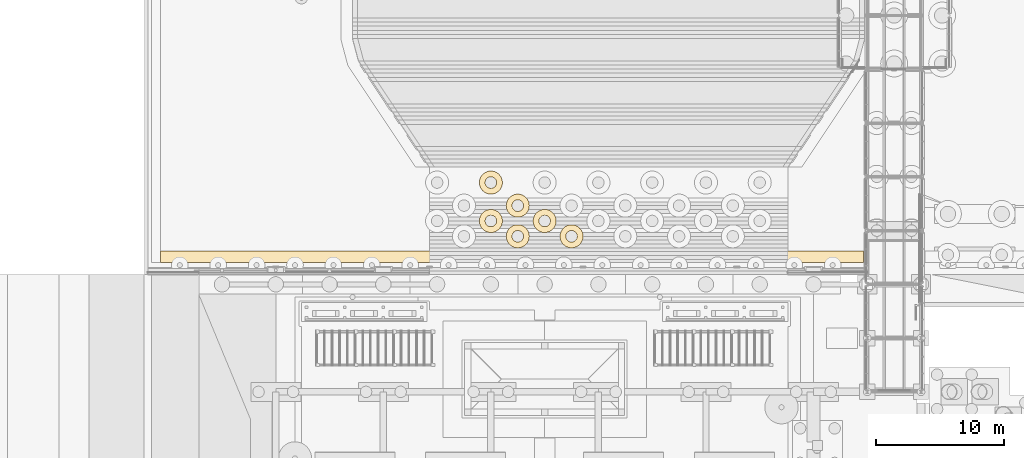
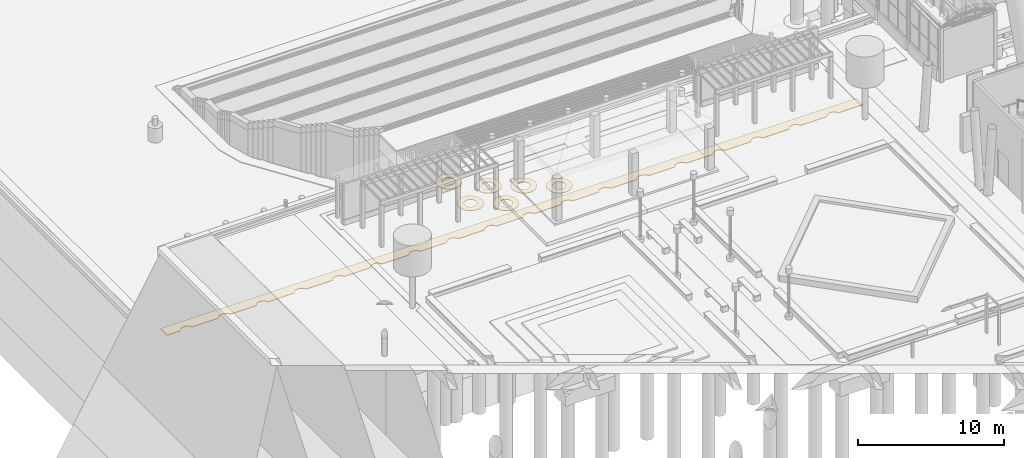
# One storey, part 177 of 222: 7 coverings.
"""IFC4 building model written with IfcOpenShell, lengths in metres."""

from ifc_helpers import new_model, si_unit, direction, frame, origin, place, context, subcontext, project, spatial, polyline, outline, extrude, material, layer, layer_set, type_object, element, save


model = new_model("IFC4")

# Units and contexts
model_context = context("Model", 3, precision=1e-05, world=origin(), true_north=direction((0.0, 1.0)))
body_context = subcontext(model_context, "Body", "Model", "MODEL_VIEW")
ifc_project = project(units=[si_unit("LENGTHUNIT", "METRE"), si_unit("AREAUNIT", "SQUARE_METRE"), si_unit("VOLUMEUNIT", "CUBIC_METRE"), si_unit("PLANEANGLEUNIT", "RADIAN"), si_unit("MASSUNIT", "GRAM", prefix="KILO")], contexts=[model_context])

# Site, building, storey
site_placement = place(None, origin())
site = spatial("IfcSite", under=ifc_project, at=site_placement, CompositionType="ELEMENT")
building_placement = place(site_placement, origin())
building = spatial("IfcBuilding", under=site, at=building_placement, Name="Sava Quay Ferry Terminal", CompositionType="ELEMENT")
storey_placement = place(building_placement, origin())
storey = spatial("IfcBuildingStorey", under=building, at=storey_placement, Name="L00", CompositionType="ELEMENT", Elevation=0.0)

# Coverings
ifc_material_1 = material(Name="Water")
ifc_layer_1 = layer(ifc_material_1, 0.0400390625)
ifc_layer_set_1 = layer_set([ifc_layer_1], Name="Water")
covering_type_1 = type_object("IfcCoveringType", Name="River foam collar", PredefinedType="CLADDING", material=ifc_layer_set_1)
covering_1_placement = place(storey_placement, frame((0.0, 0.0, -8.0)))
element("IfcCovering", 1, at=covering_1_placement, inside=storey, type_object=covering_type_1, Name="River foam collar", PredefinedType="CLADDING", context=body_context, shape_type="SweptSolid", body=[
    extrude(outline(polyline([(18.06591796875, 121.695068359375), (18.014892578125, 121.52587890625), (17.998046875, 121.35009765625), (18.014892578125, 121.174072265625), (18.06591796875, 121.0048828125), (18.14990234375, 120.84912109375), (18.261962890625, 120.7119140625), (18.39892578125, 120.60009765625), (18.554931640625, 120.51611328125), (18.72412109375, 120.465087890625), (18.89990234375, 120.447998046875), (19.075927734375, 120.465087890625), (19.2451171875, 120.51611328125), (19.40087890625, 120.60009765625), (19.5380859375, 120.7119140625), (19.64990234375, 120.84912109375), (19.73388671875, 121.0048828125), (19.784912109375, 121.174072265625), (19.802001953125, 121.35009765625), (19.784912109375, 121.52587890625), (19.73388671875, 121.695068359375), (19.64990234375, 121.85107421875), (19.5380859375, 121.988037109375), (19.40087890625, 122.10009765625), (19.2451171875, 122.18408203125), (19.075927734375, 122.235107421875), (18.89990234375, 122.251953125), (18.72412109375, 122.235107421875), (18.554931640625, 122.18408203125), (18.39892578125, 122.10009765625), (18.261962890625, 121.988037109375), (18.14990234375, 121.85107421875), (18.06591796875, 121.695068359375)]), holes=[polyline([(18.48388671875, 121.177978515625), (18.458984375, 121.261962890625), (18.449951171875, 121.35009765625), (18.458984375, 121.43798828125), (18.48388671875, 121.52197265625), (18.52587890625, 121.60009765625), (18.58203125, 121.66796875), (18.64990234375, 121.72412109375), (18.72802734375, 121.76611328125), (18.81201171875, 121.791015625), (18.89990234375, 121.800048828125), (18.988037109375, 121.791015625), (19.072021484375, 121.76611328125), (19.14990234375, 121.72412109375), (19.218017578125, 121.66796875), (19.27392578125, 121.60009765625), (19.31591796875, 121.52197265625), (19.341064453125, 121.43798828125), (19.35009765625, 121.35009765625), (19.341064453125, 121.261962890625), (19.31591796875, 121.177978515625), (19.27392578125, 121.10009765625), (19.218017578125, 121.031982421875), (19.14990234375, 120.97607421875), (19.072021484375, 120.93408203125), (18.988037109375, 120.908935546875), (18.89990234375, 120.89990234375), (18.81201171875, 120.908935546875), (18.72802734375, 120.93408203125), (18.64990234375, 120.97607421875), (18.58203125, 121.031982421875), (18.52587890625, 121.10009765625), (18.48388671875, 121.177978515625)])]), origin(), (0.0, 0.0, 1.0), 0.0400390625),
])
covering_2_placement = place(storey_placement, frame((0.0, 0.0, -8.0)))
element("IfcCovering", 2, at=covering_2_placement, inside=storey, type_object=covering_type_1, Name="River foam collar", PredefinedType="CLADDING", context=body_context, shape_type="SweptSolid", body=[
    extrude(outline(polyline([(22.35009765625, 121.85107421875), (22.26611328125, 121.695068359375), (22.215087890625, 121.52587890625), (22.197998046875, 121.35009765625), (22.215087890625, 121.174072265625), (22.26611328125, 121.0048828125), (22.35009765625, 120.84912109375), (22.4619140625, 120.7119140625), (22.59912109375, 120.60009765625), (22.7548828125, 120.51611328125), (22.924072265625, 120.465087890625), (23.10009765625, 120.447998046875), (23.27587890625, 120.465087890625), (23.445068359375, 120.51611328125), (23.60107421875, 120.60009765625), (23.738037109375, 120.7119140625), (23.85009765625, 120.84912109375), (23.93408203125, 121.0048828125), (23.985107421875, 121.174072265625), (24.001953125, 121.35009765625), (23.985107421875, 121.52587890625), (23.93408203125, 121.695068359375), (23.85009765625, 121.85107421875), (23.738037109375, 121.988037109375), (23.60107421875, 122.10009765625), (23.445068359375, 122.18408203125), (23.27587890625, 122.235107421875), (23.10009765625, 122.251953125), (22.924072265625, 122.235107421875), (22.7548828125, 122.18408203125), (22.59912109375, 122.10009765625), (22.4619140625, 121.988037109375), (22.35009765625, 121.85107421875)]), holes=[polyline([(22.72607421875, 121.10009765625), (22.68408203125, 121.177978515625), (22.658935546875, 121.261962890625), (22.64990234375, 121.35009765625), (22.658935546875, 121.43798828125), (22.68408203125, 121.52197265625), (22.72607421875, 121.60009765625), (22.781982421875, 121.66796875), (22.85009765625, 121.72412109375), (22.927978515625, 121.76611328125), (23.011962890625, 121.791015625), (23.10009765625, 121.800048828125), (23.18798828125, 121.791015625), (23.27197265625, 121.76611328125), (23.35009765625, 121.72412109375), (23.41796875, 121.66796875), (23.47412109375, 121.60009765625), (23.51611328125, 121.52197265625), (23.541015625, 121.43798828125), (23.550048828125, 121.35009765625), (23.541015625, 121.261962890625), (23.51611328125, 121.177978515625), (23.47412109375, 121.10009765625), (23.41796875, 121.031982421875), (23.35009765625, 120.97607421875), (23.27197265625, 120.93408203125), (23.18798828125, 120.908935546875), (23.10009765625, 120.89990234375), (23.011962890625, 120.908935546875), (22.927978515625, 120.93408203125), (22.85009765625, 120.97607421875), (22.781982421875, 121.031982421875), (22.72607421875, 121.10009765625)])]), origin(), (0.0, 0.0, 1.0), 0.0400390625),
])
covering_3_placement = place(storey_placement, frame((0.0, 0.0, -8.0)))
element("IfcCovering", 3, at=covering_3_placement, inside=storey, type_object=covering_type_1, Name="River foam collar", PredefinedType="CLADDING", context=body_context, shape_type="SweptSolid", body=[
    extrude(outline(polyline([(16.800048828125, 123.451904296875), (16.6240234375, 123.43505859375), (16.455078125, 123.384033203125), (16.299072265625, 123.300048828125), (16.162109375, 123.18798828125), (16.050048828125, 123.051025390625), (15.966064453125, 122.89501953125), (15.9150390625, 122.72607421875), (15.89794921875, 122.550048828125), (15.9150390625, 122.3740234375), (15.966064453125, 122.205078125), (16.050048828125, 122.049072265625), (16.162109375, 121.912109375), (16.299072265625, 121.800048828125), (16.455078125, 121.716064453125), (16.6240234375, 121.6650390625), (16.800048828125, 121.64794921875), (16.97607421875, 121.6650390625), (17.14501953125, 121.716064453125), (17.301025390625, 121.800048828125), (17.43798828125, 121.912109375), (17.550048828125, 122.049072265625), (17.634033203125, 122.205078125), (17.68505859375, 122.3740234375), (17.701904296875, 122.550048828125), (17.68505859375, 122.72607421875), (17.634033203125, 122.89501953125), (17.550048828125, 123.051025390625), (17.43798828125, 123.18798828125), (17.301025390625, 123.300048828125), (17.14501953125, 123.384033203125), (16.97607421875, 123.43505859375), (16.800048828125, 123.451904296875)]), holes=[polyline([(16.800048828125, 122.10009765625), (16.7119140625, 122.10888671875), (16.6279296875, 122.134033203125), (16.550048828125, 122.176025390625), (16.48193359375, 122.23193359375), (16.426025390625, 122.300048828125), (16.384033203125, 122.3779296875), (16.35888671875, 122.4619140625), (16.35009765625, 122.550048828125), (16.35888671875, 122.637939453125), (16.384033203125, 122.721923828125), (16.426025390625, 122.800048828125), (16.48193359375, 122.867919921875), (16.550048828125, 122.924072265625), (16.6279296875, 122.966064453125), (16.7119140625, 122.990966796875), (16.800048828125, 123.0), (16.887939453125, 122.990966796875), (16.971923828125, 122.966064453125), (17.050048828125, 122.924072265625), (17.117919921875, 122.867919921875), (17.174072265625, 122.800048828125), (17.216064453125, 122.721923828125), (17.240966796875, 122.637939453125), (17.25, 122.550048828125), (17.240966796875, 122.4619140625), (17.216064453125, 122.3779296875), (17.174072265625, 122.300048828125), (17.117919921875, 122.23193359375), (17.050048828125, 122.176025390625), (16.971923828125, 122.134033203125), (16.887939453125, 122.10888671875), (16.800048828125, 122.10009765625)])]), origin(), (0.0, 0.0, 1.0), 0.0400390625),
])
covering_4_placement = place(storey_placement, frame((0.0, 0.0, -8.0)))
element("IfcCovering", 4, at=covering_4_placement, inside=storey, type_object=covering_type_1, Name="River foam collar", PredefinedType="CLADDING", context=body_context, shape_type="SweptSolid", body=[
    extrude(outline(polyline([(21.176025390625, 123.43505859375), (21.0, 123.451904296875), (20.823974609375, 123.43505859375), (20.655029296875, 123.384033203125), (20.4990234375, 123.300048828125), (20.362060546875, 123.18798828125), (20.25, 123.051025390625), (20.166015625, 122.89501953125), (20.114990234375, 122.72607421875), (20.097900390625, 122.550048828125), (20.114990234375, 122.3740234375), (20.166015625, 122.205078125), (20.25, 122.049072265625), (20.362060546875, 121.912109375), (20.4990234375, 121.800048828125), (20.655029296875, 121.716064453125), (20.823974609375, 121.6650390625), (21.0, 121.64794921875), (21.176025390625, 121.6650390625), (21.344970703125, 121.716064453125), (21.5009765625, 121.800048828125), (21.637939453125, 121.912109375), (21.75, 122.049072265625), (21.833984375, 122.205078125), (21.885009765625, 122.3740234375), (21.902099609375, 122.550048828125), (21.885009765625, 122.72607421875), (21.833984375, 122.89501953125), (21.75, 123.051025390625), (21.637939453125, 123.18798828125), (21.5009765625, 123.300048828125), (21.344970703125, 123.384033203125), (21.176025390625, 123.43505859375)]), holes=[polyline([(21.087890625, 122.10888671875), (21.0, 122.10009765625), (20.912109375, 122.10888671875), (20.827880859375, 122.134033203125), (20.75, 122.176025390625), (20.681884765625, 122.23193359375), (20.6259765625, 122.300048828125), (20.583984375, 122.3779296875), (20.55908203125, 122.4619140625), (20.550048828125, 122.550048828125), (20.55908203125, 122.637939453125), (20.583984375, 122.721923828125), (20.6259765625, 122.800048828125), (20.681884765625, 122.867919921875), (20.75, 122.924072265625), (20.827880859375, 122.966064453125), (20.912109375, 122.990966796875), (21.0, 123.0), (21.087890625, 122.990966796875), (21.172119140625, 122.966064453125), (21.25, 122.924072265625), (21.318115234375, 122.867919921875), (21.3740234375, 122.800048828125), (21.416015625, 122.721923828125), (21.44091796875, 122.637939453125), (21.449951171875, 122.550048828125), (21.44091796875, 122.4619140625), (21.416015625, 122.3779296875), (21.3740234375, 122.300048828125), (21.318115234375, 122.23193359375), (21.25, 122.176025390625), (21.172119140625, 122.134033203125), (21.087890625, 122.10888671875)])]), origin(), (0.0, 0.0, 1.0), 0.0400390625),
])
covering_5_placement = place(storey_placement, frame((0.0, 0.0, -8.0)))
element("IfcCovering", 5, at=covering_5_placement, inside=storey, type_object=covering_type_1, Name="River foam collar", PredefinedType="CLADDING", context=body_context, shape_type="SweptSolid", body=[
    extrude(outline(polyline([(19.784912109375, 123.926025390625), (19.73388671875, 124.094970703125), (19.64990234375, 124.2509765625), (19.5380859375, 124.387939453125), (19.40087890625, 124.5), (19.2451171875, 124.583984375), (19.075927734375, 124.635009765625), (18.89990234375, 124.652099609375), (18.72412109375, 124.635009765625), (18.554931640625, 124.583984375), (18.39892578125, 124.5), (18.261962890625, 124.387939453125), (18.14990234375, 124.2509765625), (18.06591796875, 124.094970703125), (18.014892578125, 123.926025390625), (17.998046875, 123.75), (18.014892578125, 123.573974609375), (18.06591796875, 123.405029296875), (18.14990234375, 123.2490234375), (18.261962890625, 123.112060546875), (18.39892578125, 123.0), (18.554931640625, 122.916015625), (18.72412109375, 122.864990234375), (18.89990234375, 122.847900390625), (19.075927734375, 122.864990234375), (19.2451171875, 122.916015625), (19.40087890625, 123.0), (19.5380859375, 123.112060546875), (19.64990234375, 123.2490234375), (19.73388671875, 123.405029296875), (19.784912109375, 123.573974609375), (19.802001953125, 123.75), (19.784912109375, 123.926025390625)]), holes=[polyline([(19.341064453125, 123.662109375), (19.31591796875, 123.577880859375), (19.27392578125, 123.5), (19.218017578125, 123.431884765625), (19.14990234375, 123.3759765625), (19.072021484375, 123.333984375), (18.988037109375, 123.30908203125), (18.89990234375, 123.300048828125), (18.81201171875, 123.30908203125), (18.72802734375, 123.333984375), (18.64990234375, 123.3759765625), (18.58203125, 123.431884765625), (18.52587890625, 123.5), (18.48388671875, 123.577880859375), (18.458984375, 123.662109375), (18.449951171875, 123.75), (18.458984375, 123.837890625), (18.48388671875, 123.922119140625), (18.52587890625, 124.0), (18.58203125, 124.068115234375), (18.64990234375, 124.1240234375), (18.72802734375, 124.166015625), (18.81201171875, 124.19091796875), (18.89990234375, 124.199951171875), (18.988037109375, 124.19091796875), (19.072021484375, 124.166015625), (19.14990234375, 124.1240234375), (19.218017578125, 124.068115234375), (19.27392578125, 124.0), (19.31591796875, 123.922119140625), (19.341064453125, 123.837890625), (19.35009765625, 123.75), (19.341064453125, 123.662109375)])]), origin(), (0.0, 0.0, 1.0), 0.0400390625),
])
covering_6_placement = place(storey_placement, frame((0.0, 0.0, -8.0)))
element("IfcCovering", 6, at=covering_6_placement, inside=storey, type_object=covering_type_1, Name="River foam collar", PredefinedType="CLADDING", context=body_context, shape_type="SweptSolid", body=[
    extrude(outline(polyline([(17.301025390625, 124.800048828125), (17.43798828125, 124.912109375), (17.550048828125, 125.049072265625), (17.634033203125, 125.205078125), (17.68505859375, 125.3740234375), (17.701904296875, 125.550048828125), (17.68505859375, 125.72607421875), (17.634033203125, 125.89501953125), (17.550048828125, 126.051025390625), (17.43798828125, 126.18798828125), (17.301025390625, 126.300048828125), (17.14501953125, 126.384033203125), (16.97607421875, 126.43505859375), (16.800048828125, 126.451904296875), (16.6240234375, 126.43505859375), (16.455078125, 126.384033203125), (16.299072265625, 126.300048828125), (16.162109375, 126.18798828125), (16.050048828125, 126.051025390625), (15.966064453125, 125.89501953125), (15.9150390625, 125.72607421875), (15.89794921875, 125.550048828125), (15.9150390625, 125.3740234375), (15.966064453125, 125.205078125), (16.050048828125, 125.049072265625), (16.162109375, 124.912109375), (16.299072265625, 124.800048828125), (16.455078125, 124.716064453125), (16.6240234375, 124.6650390625), (16.800048828125, 124.64794921875), (16.97607421875, 124.6650390625), (17.14501953125, 124.716064453125), (17.301025390625, 124.800048828125)]), holes=[polyline([(17.050048828125, 125.924072265625), (17.117919921875, 125.867919921875), (17.174072265625, 125.800048828125), (17.216064453125, 125.721923828125), (17.240966796875, 125.637939453125), (17.25, 125.550048828125), (17.240966796875, 125.4619140625), (17.216064453125, 125.3779296875), (17.174072265625, 125.300048828125), (17.117919921875, 125.23193359375), (17.050048828125, 125.176025390625), (16.971923828125, 125.134033203125), (16.887939453125, 125.10888671875), (16.800048828125, 125.10009765625), (16.7119140625, 125.10888671875), (16.6279296875, 125.134033203125), (16.550048828125, 125.176025390625), (16.48193359375, 125.23193359375), (16.426025390625, 125.300048828125), (16.384033203125, 125.3779296875), (16.35888671875, 125.4619140625), (16.35009765625, 125.550048828125), (16.35888671875, 125.637939453125), (16.384033203125, 125.721923828125), (16.426025390625, 125.800048828125), (16.48193359375, 125.867919921875), (16.550048828125, 125.924072265625), (16.6279296875, 125.966064453125), (16.7119140625, 125.990966796875), (16.800048828125, 126.0), (16.887939453125, 125.990966796875), (16.971923828125, 125.966064453125), (17.050048828125, 125.924072265625)])]), origin(), (0.0, 0.0, 1.0), 0.0400390625),
])
ifc_material_2 = material(Name="Water")
ifc_layer_2 = layer(ifc_material_2, 0.050048828125)
ifc_layer_set_2 = layer_set([ifc_layer_2], Name="Water")
covering_type_2 = type_object("IfcCoveringType", Name="River foam line", PredefinedType="CLADDING", material=ifc_layer_set_2)
covering_7_placement = place(storey_placement, frame((0.0, 0.0, -8.0)))
element("IfcCovering", 7, at=covering_7_placement, inside=storey, type_object=covering_type_2, Name="River foam line", PredefinedType="CLADDING", context=body_context, shape_type="SweptSolid", body=[
    extrude(outline(polyline([(-9.0, 119.300048828125), (-7.9580078125, 119.300048828125), (-7.930908203125, 119.35302734375), (-7.916015625, 119.3779296875), (-7.873046875, 119.431884765625), (-7.85400390625, 119.4541015625), (-7.83203125, 119.472900390625), (-7.778076171875, 119.51611328125), (-7.7529296875, 119.531005859375), (-7.69091796875, 119.56201171875), (-7.6259765625, 119.5830078125), (-7.597900390625, 119.590087890625), (-7.568115234375, 119.594970703125), (-7.5, 119.60009765625), (-7.431884765625, 119.594970703125), (-7.402099609375, 119.590087890625), (-7.3740234375, 119.5830078125), (-7.30908203125, 119.56201171875), (-7.2470703125, 119.531005859375), (-7.221923828125, 119.51611328125), (-7.16796875, 119.472900390625), (-7.14599609375, 119.4541015625), (-7.126953125, 119.431884765625), (-7.083984375, 119.3779296875), (-7.069091796875, 119.35302734375), (-7.0419921875, 119.300048828125), (-4.9580078125, 119.300048828125), (-4.930908203125, 119.35302734375), (-4.916015625, 119.3779296875), (-4.873046875, 119.431884765625), (-4.85400390625, 119.4541015625), (-4.83203125, 119.472900390625), (-4.778076171875, 119.51611328125), (-4.7529296875, 119.531005859375), (-4.69091796875, 119.56201171875), (-4.6259765625, 119.5830078125), (-4.597900390625, 119.590087890625), (-4.568115234375, 119.594970703125), (-4.5, 119.60009765625), (-4.431884765625, 119.594970703125), (-4.402099609375, 119.590087890625), (-4.3740234375, 119.5830078125), (-4.30908203125, 119.56201171875), (-4.2470703125, 119.531005859375), (-4.221923828125, 119.51611328125), (-4.16796875, 119.472900390625), (-4.14599609375, 119.4541015625), (-4.126953125, 119.431884765625), (-4.083984375, 119.3779296875), (-4.069091796875, 119.35302734375), (-4.0419921875, 119.300048828125), (-1.9580078125, 119.300048828125), (-1.930908203125, 119.35302734375), (-1.916015625, 119.3779296875), (-1.873046875, 119.431884765625), (-1.85400390625, 119.4541015625), (-1.83203125, 119.472900390625), (-1.778076171875, 119.51611328125), (-1.7529296875, 119.531005859375), (-1.69091796875, 119.56201171875), (-1.6259765625, 119.5830078125), (-1.597900390625, 119.590087890625), (-1.568115234375, 119.594970703125), (-1.5, 119.60009765625), (-1.431884765625, 119.594970703125), (-1.402099609375, 119.590087890625), (-1.3740234375, 119.5830078125), (-1.30908203125, 119.56201171875), (-1.2470703125, 119.531005859375), (-1.221923828125, 119.51611328125), (-1.16796875, 119.472900390625), (-1.14599609375, 119.4541015625), (-1.126953125, 119.431884765625), (-1.083984375, 119.3779296875), (-1.069091796875, 119.35302734375), (-1.0419921875, 119.300048828125), (1.0419921875, 119.300048828125), (1.069091796875, 119.35302734375), (1.083984375, 119.3779296875), (1.126953125, 119.431884765625), (1.14599609375, 119.4541015625), (1.16796875, 119.472900390625), (1.221923828125, 119.51611328125), (1.2470703125, 119.531005859375), (1.30908203125, 119.56201171875), (1.3740234375, 119.5830078125), (1.402099609375, 119.590087890625), (1.431884765625, 119.594970703125), (1.5, 119.60009765625), (1.568115234375, 119.594970703125), (1.597900390625, 119.590087890625), (1.6259765625, 119.5830078125), (1.69091796875, 119.56201171875), (1.7529296875, 119.531005859375), (1.778076171875, 119.51611328125), (1.83203125, 119.472900390625), (1.85400390625, 119.4541015625), (1.873046875, 119.431884765625), (1.916015625, 119.3779296875), (1.930908203125, 119.35302734375), (1.9580078125, 119.300048828125), (4.0419921875, 119.300048828125), (4.069091796875, 119.35302734375), (4.083984375, 119.3779296875), (4.126953125, 119.431884765625), (4.14599609375, 119.4541015625), (4.16796875, 119.472900390625), (4.221923828125, 119.51611328125), (4.2470703125, 119.531005859375), (4.30908203125, 119.56201171875), (4.3740234375, 119.5830078125), (4.402099609375, 119.590087890625), (4.431884765625, 119.594970703125), (4.5, 119.60009765625), (4.568115234375, 119.594970703125), (4.597900390625, 119.590087890625), (4.6259765625, 119.5830078125), (4.69091796875, 119.56201171875), (4.7529296875, 119.531005859375), (4.778076171875, 119.51611328125), (4.83203125, 119.472900390625), (4.85400390625, 119.4541015625), (4.873046875, 119.431884765625), (4.916015625, 119.3779296875), (4.930908203125, 119.35302734375), (4.9580078125, 119.300048828125), (7.0419921875, 119.300048828125), (7.069091796875, 119.35302734375), (7.083984375, 119.3779296875), (7.126953125, 119.431884765625), (7.14599609375, 119.4541015625), (7.16796875, 119.472900390625), (7.221923828125, 119.51611328125), (7.2470703125, 119.531005859375), (7.30908203125, 119.56201171875), (7.3740234375, 119.5830078125), (7.402099609375, 119.590087890625), (7.431884765625, 119.594970703125), (7.5, 119.60009765625), (7.568115234375, 119.594970703125), (7.597900390625, 119.590087890625), (7.6259765625, 119.5830078125), (7.69091796875, 119.56201171875), (7.7529296875, 119.531005859375), (7.778076171875, 119.51611328125), (7.83203125, 119.472900390625), (7.85400390625, 119.4541015625), (7.873046875, 119.431884765625), (7.916015625, 119.3779296875), (7.930908203125, 119.35302734375), (7.9580078125, 119.300048828125), (10.0419921875, 119.300048828125), (10.069091796875, 119.35302734375), (10.083984375, 119.3779296875), (10.126953125, 119.431884765625), (10.14599609375, 119.4541015625), (10.16796875, 119.472900390625), (10.221923828125, 119.51611328125), (10.2470703125, 119.531005859375), (10.30908203125, 119.56201171875), (10.3740234375, 119.5830078125), (10.402099609375, 119.590087890625), (10.431884765625, 119.594970703125), (10.5, 119.60009765625), (10.568115234375, 119.594970703125), (10.597900390625, 119.590087890625), (10.6259765625, 119.5830078125), (10.69091796875, 119.56201171875), (10.7529296875, 119.531005859375), (10.778076171875, 119.51611328125), (10.83203125, 119.472900390625), (10.85400390625, 119.4541015625), (10.873046875, 119.431884765625), (10.916015625, 119.3779296875), (10.930908203125, 119.35302734375), (10.9580078125, 119.300048828125), (13.0419921875, 119.300048828125), (13.069091796875, 119.35302734375), (13.083984375, 119.3779296875), (13.126953125, 119.431884765625), (13.14599609375, 119.4541015625), (13.16796875, 119.472900390625), (13.221923828125, 119.51611328125), (13.2470703125, 119.531005859375), (13.30908203125, 119.56201171875), (13.3740234375, 119.5830078125), (13.402099609375, 119.590087890625), (13.431884765625, 119.594970703125), (13.5, 119.60009765625), (13.568115234375, 119.594970703125), (13.597900390625, 119.590087890625), (13.6259765625, 119.5830078125), (13.69091796875, 119.56201171875), (13.7529296875, 119.531005859375), (13.778076171875, 119.51611328125), (13.83203125, 119.472900390625), (13.85400390625, 119.4541015625), (13.873046875, 119.431884765625), (13.916015625, 119.3779296875), (13.930908203125, 119.35302734375), (13.9580078125, 119.300048828125), (16.0419921875, 119.300048828125), (16.069091796875, 119.35302734375), (16.083984375, 119.3779296875), (16.126953125, 119.431884765625), (16.14599609375, 119.4541015625), (16.16796875, 119.472900390625), (16.221923828125, 119.51611328125), (16.2470703125, 119.531005859375), (16.30908203125, 119.56201171875), (16.3740234375, 119.5830078125), (16.402099609375, 119.590087890625), (16.431884765625, 119.594970703125), (16.5, 119.60009765625), (16.568115234375, 119.594970703125), (16.597900390625, 119.590087890625), (16.6259765625, 119.5830078125), (16.69091796875, 119.56201171875), (16.7529296875, 119.531005859375), (16.778076171875, 119.51611328125), (16.83203125, 119.472900390625), (16.85400390625, 119.4541015625), (16.873046875, 119.431884765625), (16.916015625, 119.3779296875), (16.930908203125, 119.35302734375), (16.9580078125, 119.300048828125), (19.0419921875, 119.300048828125), (19.069091796875, 119.35302734375), (19.083984375, 119.3779296875), (19.126953125, 119.431884765625), (19.14599609375, 119.4541015625), (19.16796875, 119.472900390625), (19.221923828125, 119.51611328125), (19.2470703125, 119.531005859375), (19.30908203125, 119.56201171875), (19.3740234375, 119.5830078125), (19.402099609375, 119.590087890625), (19.431884765625, 119.594970703125), (19.5, 119.60009765625), (19.568115234375, 119.594970703125), (19.597900390625, 119.590087890625), (19.6259765625, 119.5830078125), (19.69091796875, 119.56201171875), (19.7529296875, 119.531005859375), (19.778076171875, 119.51611328125), (19.83203125, 119.472900390625), (19.85400390625, 119.4541015625), (19.873046875, 119.431884765625), (19.916015625, 119.3779296875), (19.930908203125, 119.35302734375), (19.9580078125, 119.300048828125), (22.0419921875, 119.300048828125), (22.069091796875, 119.35302734375), (22.083984375, 119.3779296875), (22.126953125, 119.431884765625), (22.14599609375, 119.4541015625), (22.16796875, 119.472900390625), (22.221923828125, 119.51611328125), (22.2470703125, 119.531005859375), (22.30908203125, 119.56201171875), (22.3740234375, 119.5830078125), (22.402099609375, 119.590087890625), (22.431884765625, 119.594970703125), (22.5, 119.60009765625), (22.568115234375, 119.594970703125), (22.597900390625, 119.590087890625), (22.6259765625, 119.5830078125), (22.69091796875, 119.56201171875), (22.7529296875, 119.531005859375), (22.778076171875, 119.51611328125), (22.83203125, 119.472900390625), (22.85400390625, 119.4541015625), (22.873046875, 119.431884765625), (22.916015625, 119.3779296875), (22.930908203125, 119.35302734375), (22.9580078125, 119.300048828125), (25.0419921875, 119.300048828125), (25.069091796875, 119.35302734375), (25.083984375, 119.3779296875), (25.126953125, 119.431884765625), (25.14599609375, 119.4541015625), (25.16796875, 119.472900390625), (25.221923828125, 119.51611328125), (25.2470703125, 119.531005859375), (25.30908203125, 119.56201171875), (25.3740234375, 119.5830078125), (25.402099609375, 119.590087890625), (25.431884765625, 119.594970703125), (25.5, 119.60009765625), (25.568115234375, 119.594970703125), (25.597900390625, 119.590087890625), (25.6259765625, 119.5830078125), (25.69091796875, 119.56201171875), (25.7529296875, 119.531005859375), (25.778076171875, 119.51611328125), (25.83203125, 119.472900390625), (25.85400390625, 119.4541015625), (25.873046875, 119.431884765625), (25.916015625, 119.3779296875), (25.930908203125, 119.35302734375), (25.9580078125, 119.300048828125), (28.0419921875, 119.300048828125), (28.069091796875, 119.35302734375), (28.083984375, 119.3779296875), (28.126953125, 119.431884765625), (28.14599609375, 119.4541015625), (28.16796875, 119.472900390625), (28.221923828125, 119.51611328125), (28.2470703125, 119.531005859375), (28.30908203125, 119.56201171875), (28.3740234375, 119.5830078125), (28.402099609375, 119.590087890625), (28.431884765625, 119.594970703125), (28.5, 119.60009765625), (28.568115234375, 119.594970703125), (28.597900390625, 119.590087890625), (28.6259765625, 119.5830078125), (28.69091796875, 119.56201171875), (28.7529296875, 119.531005859375), (28.778076171875, 119.51611328125), (28.83203125, 119.472900390625), (28.85400390625, 119.4541015625), (28.873046875, 119.431884765625), (28.916015625, 119.3779296875), (28.930908203125, 119.35302734375), (28.9580078125, 119.300048828125), (31.0419921875, 119.300048828125), (31.069091796875, 119.35302734375), (31.083984375, 119.3779296875), (31.126953125, 119.431884765625), (31.14599609375, 119.4541015625), (31.16796875, 119.472900390625), (31.221923828125, 119.51611328125), (31.2470703125, 119.531005859375), (31.30908203125, 119.56201171875), (31.3740234375, 119.5830078125), (31.402099609375, 119.590087890625), (31.431884765625, 119.594970703125), (31.5, 119.60009765625), (31.568115234375, 119.594970703125), (31.597900390625, 119.590087890625), (31.6259765625, 119.5830078125), (31.69091796875, 119.56201171875), (31.7529296875, 119.531005859375), (31.778076171875, 119.51611328125), (31.83203125, 119.472900390625), (31.85400390625, 119.4541015625), (31.873046875, 119.431884765625), (31.916015625, 119.3779296875), (31.930908203125, 119.35302734375), (31.9580078125, 119.300048828125), (34.0419921875, 119.300048828125), (34.069091796875, 119.35302734375), (34.083984375, 119.3779296875), (34.126953125, 119.431884765625), (34.14599609375, 119.4541015625), (34.16796875, 119.472900390625), (34.221923828125, 119.51611328125), (34.2470703125, 119.531005859375), (34.30908203125, 119.56201171875), (34.3740234375, 119.5830078125), (34.402099609375, 119.590087890625), (34.431884765625, 119.594970703125), (34.5, 119.60009765625), (34.568115234375, 119.594970703125), (34.597900390625, 119.590087890625), (34.6259765625, 119.5830078125), (34.69091796875, 119.56201171875), (34.7529296875, 119.531005859375), (34.778076171875, 119.51611328125), (34.83203125, 119.472900390625), (34.85400390625, 119.4541015625), (34.873046875, 119.431884765625), (34.916015625, 119.3779296875), (34.930908203125, 119.35302734375), (34.9580078125, 119.300048828125), (37.0419921875, 119.300048828125), (37.069091796875, 119.35302734375), (37.083984375, 119.3779296875), (37.126953125, 119.431884765625), (37.14599609375, 119.4541015625), (37.16796875, 119.472900390625), (37.221923828125, 119.51611328125), (37.2470703125, 119.531005859375), (37.30908203125, 119.56201171875), (37.3740234375, 119.5830078125), (37.402099609375, 119.590087890625), (37.431884765625, 119.594970703125), (37.5, 119.60009765625), (37.568115234375, 119.594970703125), (37.597900390625, 119.590087890625), (37.6259765625, 119.5830078125), (37.69091796875, 119.56201171875), (37.7529296875, 119.531005859375), (37.778076171875, 119.51611328125), (37.83203125, 119.472900390625), (37.85400390625, 119.4541015625), (37.873046875, 119.431884765625), (37.916015625, 119.3779296875), (37.930908203125, 119.35302734375), (37.9580078125, 119.300048828125), (40.0419921875, 119.300048828125), (40.069091796875, 119.35302734375), (40.083984375, 119.3779296875), (40.126953125, 119.431884765625), (40.14599609375, 119.4541015625), (40.16796875, 119.472900390625), (40.221923828125, 119.51611328125), (40.2470703125, 119.531005859375), (40.30908203125, 119.56201171875), (40.3740234375, 119.5830078125), (40.402099609375, 119.590087890625), (40.431884765625, 119.594970703125), (40.5, 119.60009765625), (40.568115234375, 119.594970703125), (40.597900390625, 119.590087890625), (40.6259765625, 119.5830078125), (40.69091796875, 119.56201171875), (40.7529296875, 119.531005859375), (40.778076171875, 119.51611328125), (40.83203125, 119.472900390625), (40.85400390625, 119.4541015625), (40.873046875, 119.431884765625), (40.916015625, 119.3779296875), (40.930908203125, 119.35302734375), (40.9580078125, 119.300048828125), (43.0419921875, 119.300048828125), (43.069091796875, 119.35302734375), (43.083984375, 119.3779296875), (43.126953125, 119.431884765625), (43.14599609375, 119.4541015625), (43.16796875, 119.472900390625), (43.221923828125, 119.51611328125), (43.2470703125, 119.531005859375), (43.30908203125, 119.56201171875), (43.3740234375, 119.5830078125), (43.402099609375, 119.590087890625), (43.431884765625, 119.594970703125), (43.5, 119.60009765625), (43.568115234375, 119.594970703125), (43.597900390625, 119.590087890625), (43.6259765625, 119.5830078125), (43.69091796875, 119.56201171875), (43.7529296875, 119.531005859375), (43.778076171875, 119.51611328125), (43.83203125, 119.472900390625), (43.85400390625, 119.4541015625), (43.873046875, 119.431884765625), (43.916015625, 119.3779296875), (43.930908203125, 119.35302734375), (43.9580078125, 119.300048828125), (45.89990234375, 119.300048828125), (45.89990234375, 120.199951171875), (-9.0, 120.199951171875), (-9.0, 119.300048828125)])), origin(), (0.0, 0.0, 1.0), 0.050048828125),
])

save(model, "model.ifc")
